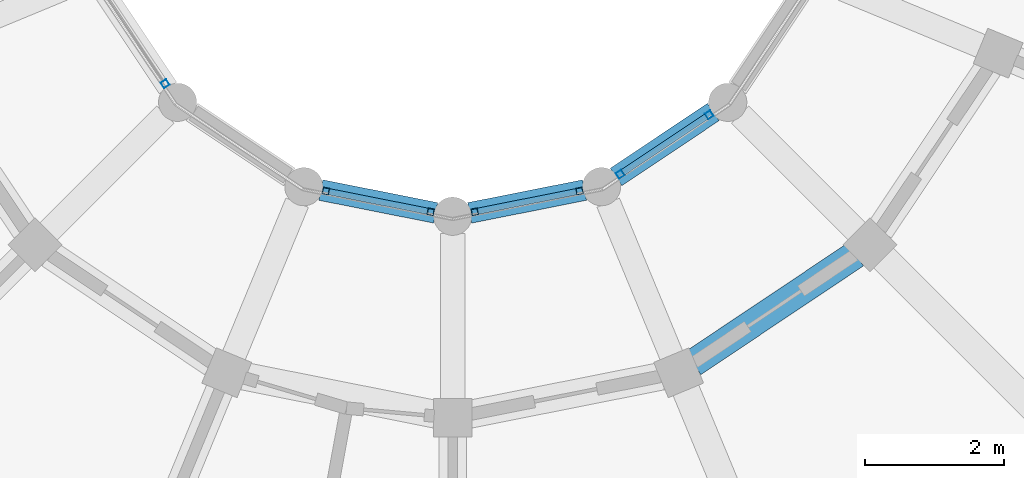
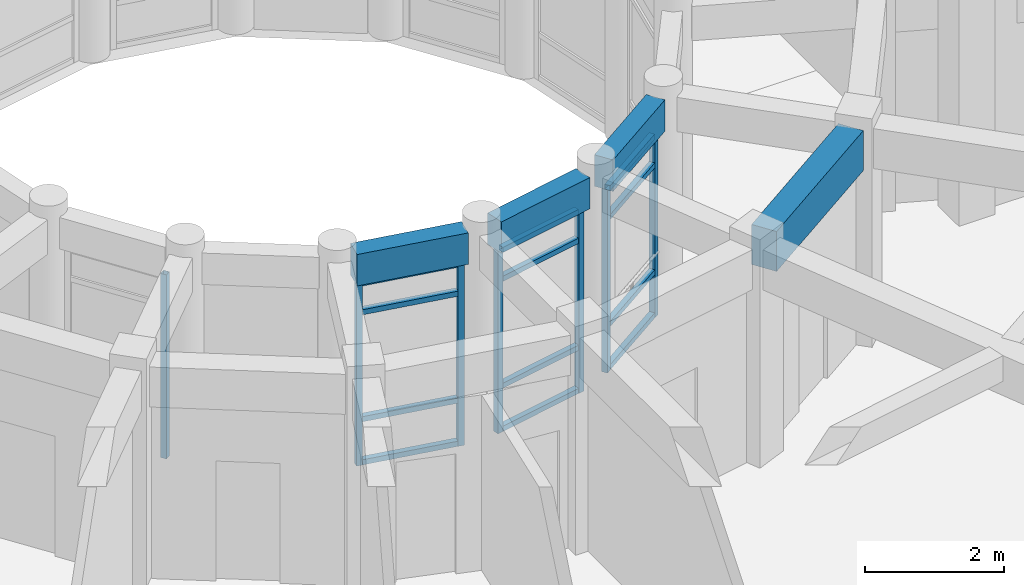
# One storey, part 10 of 112: 19 members, 4 beams, 4 elements without a shape of their own.
"""IFC4 building model written with IfcOpenShell, lengths in metres."""

from ifc_helpers import new_model, si_unit, direction, frame, origin, origin_2d, place, context, subcontext, project, spatial, rectangle, hollow_rectangle, extrude, material, material_profile, profile_set, type_object, element, aggregate, save


model = new_model("IFC4")

# Units and contexts
model_context = context("Model", 3, precision=1e-05, world=origin(), true_north=direction((0.0, 1.0)))
body_context = subcontext(model_context, "Body", "Model", "MODEL_VIEW")
ifc_project = project(units=[si_unit("LENGTHUNIT", "METRE"), si_unit("AREAUNIT", "SQUARE_METRE"), si_unit("VOLUMEUNIT", "CUBIC_METRE"), si_unit("PLANEANGLEUNIT", "RADIAN"), si_unit("MASSUNIT", "GRAM", prefix="KILO")], contexts=[model_context])

# Site, building, storey
site_placement = place(None, origin())
site = spatial("IfcSite", under=ifc_project, at=site_placement, CompositionType="ELEMENT")
building_placement = place(site_placement, origin())
building = spatial("IfcBuilding", under=site, at=building_placement, Name="Celadon Cloister-Ring School", CompositionType="ELEMENT")
storey_placement = place(building_placement, frame((0.0, 0.0, 8.5)))
storey = spatial("IfcBuildingStorey", under=building, at=storey_placement, Name="L02", CompositionType="ELEMENT", Elevation=8.5)

# Curtain wall, member
ifc_material_1 = material(Name="Aluminium EN AW-6063 T6", Category="aluminium")
curtain_wall_type = type_object("IfcCurtainWallType", Name="CW-04", PredefinedType="USERDEFINED", material=ifc_material_1)
curtain_wall_1_placement = place(storey_placement, origin())
curtain_wall_1 = element("IfcCurtainWall", 1, at=curtain_wall_1_placement, inside=storey, type_object=curtain_wall_type, Name="Curtain Wall 0158", ObjectType="CURTAIN WALL", PredefinedType="USERDEFINED")
ifc_material_2 = material(Name="Aluminium EN AW-6063 T6", Category="aluminium")
ifc_material_profile_1 = material_profile(ifc_material_2, hollow_rectangle(XDim=0.094970703125, YDim=0.094970703125, WallThickness=0.00390625, at=origin_2d()), Name="RHS95X95X4")
ifc_profile_set_1 = profile_set([ifc_material_profile_1], Name="Aluminium EN AW-6063 T6")
member_type_1 = type_object("IfcMemberType", Name="CM-02", PredefinedType="MULLION", material=ifc_profile_set_1)
member_1_placement = place(storey_placement, frame((16.060546875, 16.30859375, 0.0), z_axis=(0.0, 0.0, 1.0), x_axis=(0.831485091394, 0.555547066224, 0.0)))
member_1 = element("IfcMember", 2, at=member_1_placement, type_object=member_type_1, Name="CW-04 mullion 2", PredefinedType="MULLION", context=body_context, shape_type="SweptSolid", body=[
    extrude(hollow_rectangle(XDim=0.094970703125, YDim=0.094970703125, WallThickness=0.00390625, at=origin_2d()), origin(), (0.0, 0.0, 1.0), 3.221923828125),
])
aggregate(curtain_wall_1, [member_1])

# Curtain wall, members
curtain_wall_2_placement = place(storey_placement, origin())
curtain_wall_2 = element("IfcCurtainWall", 3, at=curtain_wall_2_placement, inside=storey, type_object=curtain_wall_type, Name="Curtain Wall 0159", ObjectType="CURTAIN WALL", PredefinedType="USERDEFINED")
member_2_placement = place(storey_placement, frame((18.37353515625, 14.7626953125, 0.0), z_axis=(0.0, 0.0, 1.0), x_axis=(0.194586131301, 0.980885435464, 0.0)))
member_2 = element("IfcMember", 4, at=member_2_placement, type_object=member_type_1, Name="CW-04 mullion 1", PredefinedType="MULLION", context=body_context, shape_type="SweptSolid", body=[
    extrude(hollow_rectangle(XDim=0.094970703125, YDim=0.094970703125, WallThickness=0.00390625, at=origin_2d()), origin(), (0.0, 0.0, 1.0), 3.221923828125),
])
member_3_placement = place(storey_placement, frame((19.88330078125, 14.463134765625, 0.0), z_axis=(0.0, 0.0, 1.0), x_axis=(0.194586131301, 0.980885435464, 0.0)))
member_3 = element("IfcMember", 5, at=member_3_placement, type_object=member_type_1, Name="CW-04 mullion 2", PredefinedType="MULLION", context=body_context, shape_type="SweptSolid", body=[
    extrude(hollow_rectangle(XDim=0.094970703125, YDim=0.094970703125, WallThickness=0.00390625, at=origin_2d()), origin(), (0.0, 0.0, 1.0), 3.221923828125),
])

curtain_wall_3_placement = place(storey_placement, origin())
curtain_wall_3 = element("IfcCurtainWall", 6, at=curtain_wall_3_placement, inside=storey, type_object=curtain_wall_type, Name="Curtain Wall 0160", ObjectType="CURTAIN WALL", PredefinedType="USERDEFINED")
member_4_placement = place(storey_placement, frame((20.5166015625, 14.463134765625, 0.0), z_axis=(0.0, 0.0, 1.0), x_axis=(-0.194586131301, 0.980885435464, 0.0)))
member_4 = element("IfcMember", 7, at=member_4_placement, type_object=member_type_1, Name="CW-04 mullion 1", PredefinedType="MULLION", context=body_context, shape_type="SweptSolid", body=[
    extrude(hollow_rectangle(XDim=0.094970703125, YDim=0.094970703125, WallThickness=0.00390625, at=origin_2d()), origin(), (0.0, 0.0, 1.0), 3.221923828125),
])
member_5_placement = place(storey_placement, frame((22.0263671875, 14.7626953125, 0.0), z_axis=(0.0, 0.0, 1.0), x_axis=(-0.194586131301, 0.980885435464, 0.0)))
member_5 = element("IfcMember", 8, at=member_5_placement, type_object=member_type_1, Name="CW-04 mullion 2", PredefinedType="MULLION", context=body_context, shape_type="SweptSolid", body=[
    extrude(hollow_rectangle(XDim=0.094970703125, YDim=0.094970703125, WallThickness=0.00390625, at=origin_2d()), origin(), (0.0, 0.0, 1.0), 3.221923828125),
])

curtain_wall_4_placement = place(storey_placement, origin())
curtain_wall_4 = element("IfcCurtainWall", 9, at=curtain_wall_4_placement, inside=storey, type_object=curtain_wall_type, Name="Curtain Wall 0161", ObjectType="CURTAIN WALL", PredefinedType="USERDEFINED")
member_6_placement = place(storey_placement, frame((22.611572265625, 15.00537109375, 0.0), z_axis=(0.0, 0.0, 1.0), x_axis=(-0.555547066224, 0.831485091394, 0.0)))
member_6 = element("IfcMember", 10, at=member_6_placement, type_object=member_type_1, Name="CW-04 mullion 1", PredefinedType="MULLION", context=body_context, shape_type="SweptSolid", body=[
    extrude(hollow_rectangle(XDim=0.094970703125, YDim=0.094970703125, WallThickness=0.00390625, at=origin_2d()), origin(), (0.0, 0.0, 1.0), 3.221923828125),
])
member_7_placement = place(storey_placement, frame((23.8916015625, 15.860595703125, 0.0), z_axis=(0.0, 0.0, 1.0), x_axis=(-0.555547066224, 0.831485091394, 0.0)))
member_7 = element("IfcMember", 11, at=member_7_placement, type_object=member_type_1, Name="CW-04 mullion 2", PredefinedType="MULLION", context=body_context, shape_type="SweptSolid", body=[
    extrude(hollow_rectangle(XDim=0.094970703125, YDim=0.094970703125, WallThickness=0.00390625, at=origin_2d()), origin(), (0.0, 0.0, 1.0), 3.221923828125),
])

# Member
ifc_material_3 = material(Name="Aluminium EN AW-6063 T6", Category="aluminium")
ifc_material_profile_2 = material_profile(ifc_material_3, hollow_rectangle(XDim=0.090087890625, YDim=0.090087890625, WallThickness=0.00390625, at=origin_2d()), Name="RHS90X90X4")
ifc_profile_set_2 = profile_set([ifc_material_profile_2], Name="Aluminium EN AW-6063 T6")
member_type_2 = type_object("IfcMemberType", Name="CTM-02", PredefinedType="USERDEFINED", material=ifc_profile_set_2)
member_8_placement = place(storey_placement, frame((18.420166015625, 14.75341796875, 0.044921875), z_axis=(0.98089149302, -0.194555593394, 0.0), x_axis=(0.194555593394, 0.98089149302, 0.0)))
member_8 = element("IfcMember", 12, at=member_8_placement, type_object=member_type_2, Name="CW-04 transom 1.1", ObjectType="TRANSOM", PredefinedType="USERDEFINED", context=body_context, shape_type="SweptSolid", body=[
    extrude(hollow_rectangle(XDim=0.090087890625, YDim=0.090087890625, WallThickness=0.00390625, at=origin_2d()), origin(), (0.0, 0.0, 1.0), 1.4443359375),
])

member_9_placement = place(storey_placement, frame((18.420166015625, 14.75341796875, 0.800048828125), z_axis=(0.98089149302, -0.194555593394, 0.0), x_axis=(0.194555593394, 0.98089149302, 0.0)))
member_9 = element("IfcMember", 13, at=member_9_placement, type_object=member_type_2, Name="CW-04 transom 1.2", ObjectType="TRANSOM", PredefinedType="USERDEFINED", context=body_context, shape_type="SweptSolid", body=[
    extrude(hollow_rectangle(XDim=0.090087890625, YDim=0.090087890625, WallThickness=0.00390625, at=origin_2d()), origin(), (0.0, 0.0, 1.0), 1.4443359375),
])

member_10_placement = place(storey_placement, frame((18.420166015625, 14.75341796875, 2.672119140625), z_axis=(0.98089149302, -0.194555593394, 0.0), x_axis=(0.194555593394, 0.98089149302, 0.0)))
member_10 = element("IfcMember", 14, at=member_10_placement, type_object=member_type_2, Name="CW-04 transom 1.3", ObjectType="TRANSOM", PredefinedType="USERDEFINED", context=body_context, shape_type="SweptSolid", body=[
    extrude(hollow_rectangle(XDim=0.090087890625, YDim=0.090087890625, WallThickness=0.00390625, at=origin_2d()), origin(), (0.0, 0.0, 1.0), 1.4443359375),
])

member_11_placement = place(storey_placement, frame((18.420166015625, 14.75341796875, 3.177001953125), z_axis=(0.98089149302, -0.194555593394, 0.0), x_axis=(0.194555593394, 0.98089149302, 0.0)))
member_11 = element("IfcMember", 15, at=member_11_placement, type_object=member_type_2, Name="CW-04 transom 1.4", ObjectType="TRANSOM", PredefinedType="USERDEFINED", context=body_context, shape_type="SweptSolid", body=[
    extrude(hollow_rectangle(XDim=0.090087890625, YDim=0.090087890625, WallThickness=0.00390625, at=origin_2d()), origin(), (0.0, 0.0, 1.0), 1.4443359375),
])

aggregate(curtain_wall_2, [member_2, member_3, member_8, member_9, member_10, member_11])

member_12_placement = place(storey_placement, frame((20.563232421875, 14.472412109375, 0.044921875), z_axis=(0.980885093257, 0.194587856315, 0.0), x_axis=(-0.194587856315, 0.980885093257, 0.0)))
member_12 = element("IfcMember", 16, at=member_12_placement, type_object=member_type_2, Name="CW-04 transom 1.1", ObjectType="TRANSOM", PredefinedType="USERDEFINED", context=body_context, shape_type="SweptSolid", body=[
    extrude(hollow_rectangle(XDim=0.090087890625, YDim=0.090087890625, WallThickness=0.00390625, at=origin_2d()), origin(), (0.0, 0.0, 1.0), 1.444091796875),
])

member_13_placement = place(storey_placement, frame((20.563232421875, 14.472412109375, 0.800048828125), z_axis=(0.980885093257, 0.194587856315, 0.0), x_axis=(-0.194587856315, 0.980885093257, 0.0)))
member_13 = element("IfcMember", 17, at=member_13_placement, type_object=member_type_2, Name="CW-04 transom 1.2", ObjectType="TRANSOM", PredefinedType="USERDEFINED", context=body_context, shape_type="SweptSolid", body=[
    extrude(hollow_rectangle(XDim=0.090087890625, YDim=0.090087890625, WallThickness=0.00390625, at=origin_2d()), origin(), (0.0, 0.0, 1.0), 1.444091796875),
])

member_14_placement = place(storey_placement, frame((20.563232421875, 14.472412109375, 2.672119140625), z_axis=(0.980885093257, 0.194587856315, 0.0), x_axis=(-0.194587856315, 0.980885093257, 0.0)))
member_14 = element("IfcMember", 18, at=member_14_placement, type_object=member_type_2, Name="CW-04 transom 1.3", ObjectType="TRANSOM", PredefinedType="USERDEFINED", context=body_context, shape_type="SweptSolid", body=[
    extrude(hollow_rectangle(XDim=0.090087890625, YDim=0.090087890625, WallThickness=0.00390625, at=origin_2d()), origin(), (0.0, 0.0, 1.0), 1.444091796875),
])

member_15_placement = place(storey_placement, frame((20.563232421875, 14.472412109375, 3.177001953125), z_axis=(0.980885093257, 0.194587856315, 0.0), x_axis=(-0.194587856315, 0.980885093257, 0.0)))
member_15 = element("IfcMember", 19, at=member_15_placement, type_object=member_type_2, Name="CW-04 transom 1.4", ObjectType="TRANSOM", PredefinedType="USERDEFINED", context=body_context, shape_type="SweptSolid", body=[
    extrude(hollow_rectangle(XDim=0.090087890625, YDim=0.090087890625, WallThickness=0.00390625, at=origin_2d()), origin(), (0.0, 0.0, 1.0), 1.444091796875),
])

aggregate(curtain_wall_3, [member_4, member_5, member_12, member_13, member_14, member_15])

member_16_placement = place(storey_placement, frame((22.65087890625, 15.03173828125, 0.044921875), z_axis=(0.831503875559, 0.555518951009, 0.0), x_axis=(-0.555518951009, 0.831503875559, 0.0)))
member_16 = element("IfcMember", 20, at=member_16_placement, type_object=member_type_2, Name="CW-04 transom 1.1", ObjectType="TRANSOM", PredefinedType="USERDEFINED", context=body_context, shape_type="SweptSolid", body=[
    extrude(hollow_rectangle(XDim=0.090087890625, YDim=0.090087890625, WallThickness=0.00390625, at=origin_2d()), origin(), (0.0, 0.0, 1.0), 1.444580078125),
])

member_17_placement = place(storey_placement, frame((22.65087890625, 15.03173828125, 0.800048828125), z_axis=(0.831503875559, 0.555518951009, 0.0), x_axis=(-0.555518951009, 0.831503875559, 0.0)))
member_17 = element("IfcMember", 21, at=member_17_placement, type_object=member_type_2, Name="CW-04 transom 1.2", ObjectType="TRANSOM", PredefinedType="USERDEFINED", context=body_context, shape_type="SweptSolid", body=[
    extrude(hollow_rectangle(XDim=0.090087890625, YDim=0.090087890625, WallThickness=0.00390625, at=origin_2d()), origin(), (0.0, 0.0, 1.0), 1.444580078125),
])

member_18_placement = place(storey_placement, frame((22.65087890625, 15.03173828125, 2.672119140625), z_axis=(0.831503875559, 0.555518951009, 0.0), x_axis=(-0.555518951009, 0.831503875559, 0.0)))
member_18 = element("IfcMember", 22, at=member_18_placement, type_object=member_type_2, Name="CW-04 transom 1.3", ObjectType="TRANSOM", PredefinedType="USERDEFINED", context=body_context, shape_type="SweptSolid", body=[
    extrude(hollow_rectangle(XDim=0.090087890625, YDim=0.090087890625, WallThickness=0.00390625, at=origin_2d()), origin(), (0.0, 0.0, 1.0), 1.444580078125),
])

member_19_placement = place(storey_placement, frame((22.65087890625, 15.03173828125, 3.177001953125), z_axis=(0.831503875559, 0.555518951009, 0.0), x_axis=(-0.555518951009, 0.831503875559, 0.0)))
member_19 = element("IfcMember", 23, at=member_19_placement, type_object=member_type_2, Name="CW-04 transom 1.4", ObjectType="TRANSOM", PredefinedType="USERDEFINED", context=body_context, shape_type="SweptSolid", body=[
    extrude(hollow_rectangle(XDim=0.090087890625, YDim=0.090087890625, WallThickness=0.00390625, at=origin_2d()), origin(), (0.0, 0.0, 1.0), 1.444580078125),
])

aggregate(curtain_wall_4, [member_6, member_7, member_16, member_17, member_18, member_19])

# Beams
ifc_material_4 = material(Name="Concrete C35/45", Category="concrete")
ifc_material_profile_3 = material_profile(ifc_material_4, rectangle(XDim=0.39990234375, YDim=0.699951171875, at=origin_2d()), Name="RC400X700")
ifc_profile_set_3 = profile_set([ifc_material_profile_3], Name="Concrete C35/45")
beam_type_1 = type_object("IfcBeamType", Name="GT-03", PredefinedType="USERDEFINED", material=ifc_profile_set_3)
beam_1_placement = place(storey_placement, frame((23.660888671875, 12.285888671875, 3.429931640625), z_axis=(0.831315995752, 0.555800067657, 0.0), x_axis=(-0.555800067657, 0.831315995752, 0.0)))
element("IfcBeam", 24, at=beam_1_placement, inside=storey, type_object=beam_type_1, Name="Beam 1063", ObjectType="GIRDER", PredefinedType="USERDEFINED", context=body_context, shape_type="SweptSolid", body=[
    extrude(rectangle(XDim=0.39990234375, YDim=0.699951171875, at=origin_2d()), origin(), (0.0, 0.0, 1.0), 2.816162109375),
])
ifc_material_5 = material(Name="Concrete C35/45", Category="concrete")
ifc_material_profile_4 = material_profile(ifc_material_5, rectangle(XDim=0.300048828125, YDim=0.550048828125, at=origin_2d()), Name="RC300X550")
ifc_profile_set_4 = profile_set([ifc_material_profile_4], Name="Concrete C35/45")
beam_type_2 = type_object("IfcBeamType", Name="SP-02", PredefinedType="SPANDREL", material=ifc_profile_set_4)
beam_2_placement = place(storey_placement, frame((18.302001953125, 14.777099609375, 3.5048828125), z_axis=(0.980863799725, -0.194695162728, 0.0), x_axis=(0.194695162728, 0.980863799725, 0.0)))
element("IfcBeam", 25, at=beam_2_placement, inside=storey, type_object=beam_type_2, Name="Beam 1056", PredefinedType="SPANDREL", context=body_context, shape_type="SweptSolid", body=[
    extrude(rectangle(XDim=0.300048828125, YDim=0.550048828125, at=origin_2d()), origin(), (0.0, 0.0, 1.0), 1.685302734375),
])
beam_3_placement = place(storey_placement, frame((20.445068359375, 14.448974609375, 3.5048828125), z_axis=(0.980858307367, 0.194722830887, 0.0), x_axis=(-0.194722830887, 0.980858307367, 0.0)))
element("IfcBeam", 26, at=beam_3_placement, inside=storey, type_object=beam_type_2, Name="Beam 1060", PredefinedType="SPANDREL", context=body_context, shape_type="SweptSolid", body=[
    extrude(rectangle(XDim=0.300048828125, YDim=0.550048828125, at=origin_2d()), origin(), (0.0, 0.0, 1.0), 1.68505859375),
])
beam_4_placement = place(storey_placement, frame((22.551025390625, 14.965087890625, 3.5048828125), z_axis=(0.831537153477, 0.555469137204, 0.0), x_axis=(-0.555469137204, 0.831537153477, 0.0)))
element("IfcBeam", 27, at=beam_4_placement, inside=storey, type_object=beam_type_2, Name="Beam 1064", PredefinedType="SPANDREL", context=body_context, shape_type="SweptSolid", body=[
    extrude(rectangle(XDim=0.300048828125, YDim=0.550048828125, at=origin_2d()), origin(), (0.0, 0.0, 1.0), 1.6845703125),
])

save(model, "model.ifc")
